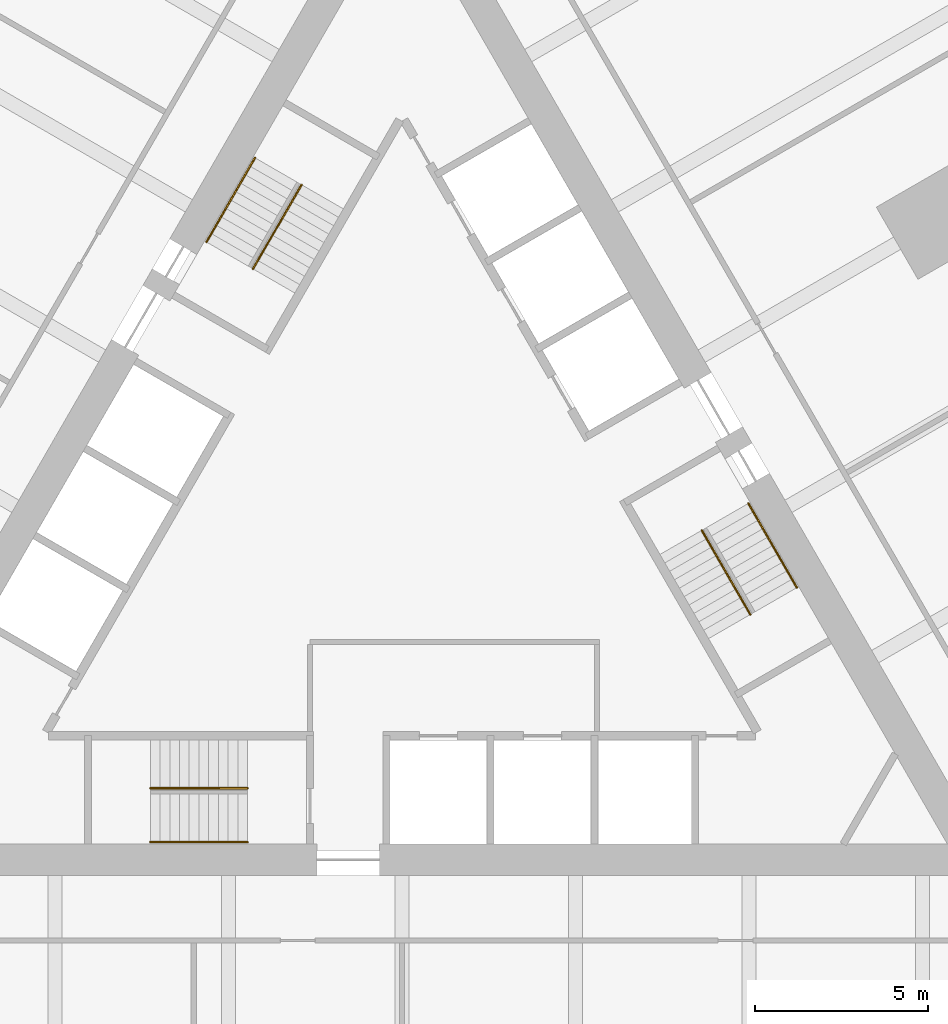
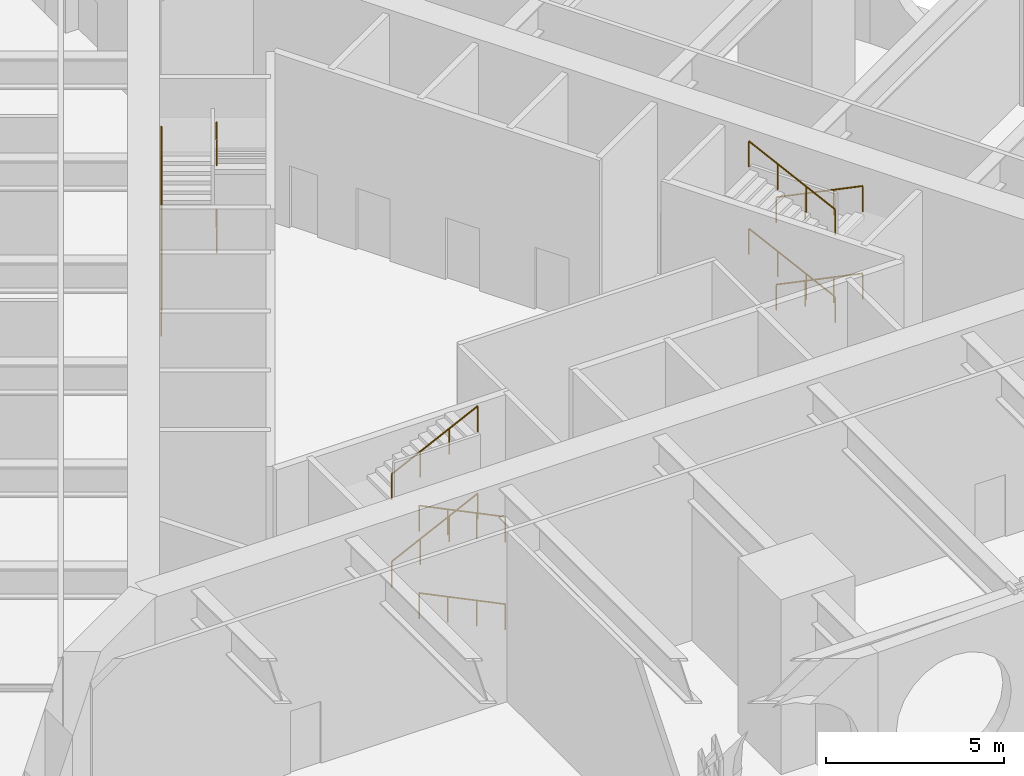
# One storey, part 8 of 8: 12 railings.
"""IFC4 building model written with IfcOpenShell, lengths in metres."""

from ifc_helpers import new_model, si_unit, direction, frame, origin, origin_2d, place, context, subcontext, project, spatial, circle, extrude, material, type_object, element, save


model = new_model("IFC4")

# Units and contexts
model_context = context("Model", 3, precision=1e-05, world=origin(), true_north=direction((0.0, 1.0)))
body_context = subcontext(model_context, "Body", "Model", "MODEL_VIEW")
ifc_project = project(units=[si_unit("LENGTHUNIT", "METRE"), si_unit("AREAUNIT", "SQUARE_METRE"), si_unit("VOLUMEUNIT", "CUBIC_METRE"), si_unit("PLANEANGLEUNIT", "RADIAN"), si_unit("MASSUNIT", "GRAM", prefix="KILO")], contexts=[model_context])

# Site, building, storey
site_placement = place(None, origin())
site = spatial("IfcSite", under=ifc_project, at=site_placement, CompositionType="ELEMENT")
building_placement = place(site_placement, origin())
building = spatial("IfcBuilding", under=site, at=building_placement, Name="Trikona Tower", CompositionType="ELEMENT")
storey_placement = place(building_placement, frame((0.0, 0.0, 22.5)))
storey = spatial("IfcBuildingStorey", under=building, at=storey_placement, Name="L04", CompositionType="ELEMENT", Elevation=22.5)

# Railings
ifc_material = material(Name="Stainless steel handrail", Category="steel")
railing_type = type_object("IfcRailingType", Name="Stair handrail", PredefinedType="HANDRAIL", material=ifc_material)
railing_1_placement = place(storey_placement, frame((-4.449951171875, -9.016357421875, 0.136474609375)))
element("IfcRailing", 1, at=railing_1_placement, inside=storey, type_object=railing_type, Name="Stair handrail A L04 1", PredefinedType="HANDRAIL", context=body_context, shape_type="SweptSolid", body=[
    extrude(circle(Radius=0.02392578125, at=origin_2d()), frame((0.0, 0.0, 0.8759765625), z_axis=(-0.899065830389, 0.0, 0.437813467846), x_axis=(0.0, -1.0, 0.0)), (0.0, 0.0, 1.0), 3.114501953125),
    extrude(circle(Radius=0.02099609375, at=origin_2d()), origin(), (0.0, 0.0, 1.0), 0.851806640625),
    extrude(circle(Radius=0.02099609375, at=origin_2d()), frame((-0.933349609375, 0.0, 0.45458984375)), (0.0, 0.0, 1.0), 0.851806640625),
    extrude(circle(Radius=0.02099609375, at=origin_2d()), frame((-1.86669921875, 0.0, 0.908935546875)), (0.0, 0.0, 1.0), 0.851806640625),
    extrude(circle(Radius=0.02099609375, at=origin_2d()), frame((-2.800048828125, 0.0, 1.363525390625)), (0.0, 0.0, 1.0), 0.851806640625),
])
railing_2_placement = place(storey_placement, frame((-7.25, -7.46630859375, 1.636474609375)))
element("IfcRailing", 2, at=railing_2_placement, inside=storey, type_object=railing_type, Name="Stair handrail A L04 2", PredefinedType="HANDRAIL", context=body_context, shape_type="SweptSolid", body=[
    extrude(circle(Radius=0.02392578125, at=origin_2d()), frame((0.0, 0.0, 0.8759765625), z_axis=(0.899065830389, 0.0, 0.437813467846), x_axis=(0.0, 1.0, 0.0)), (0.0, 0.0, 1.0), 3.114501953125),
    extrude(circle(Radius=0.02099609375, at=origin_2d()), origin(), (0.0, 0.0, 1.0), 0.851806640625),
    extrude(circle(Radius=0.02099609375, at=origin_2d()), frame((0.933349609375, 0.0, 0.45458984375)), (0.0, 0.0, 1.0), 0.851806640625),
    extrude(circle(Radius=0.02099609375, at=origin_2d()), frame((1.86669921875, 0.0, 0.908935546875)), (0.0, 0.0, 1.0), 0.851806640625),
    extrude(circle(Radius=0.02099609375, at=origin_2d()), frame((2.800048828125, 0.0, 1.363525390625)), (0.0, 0.0, 1.0), 0.851806640625),
])
railing_3_placement = place(storey_placement, frame((-4.449951171875, -9.016357421875, 3.136474609375)))
element("IfcRailing", 3, at=railing_3_placement, inside=storey, type_object=railing_type, Name="Stair handrail A L04 3", PredefinedType="HANDRAIL", context=body_context, shape_type="SweptSolid", body=[
    extrude(circle(Radius=0.02392578125, at=origin_2d()), frame((0.0, 0.0, 0.8759765625), z_axis=(-0.899065830389, 0.0, 0.437813467846), x_axis=(0.0, -1.0, 0.0)), (0.0, 0.0, 1.0), 3.114501953125),
    extrude(circle(Radius=0.02099609375, at=origin_2d()), origin(), (0.0, 0.0, 1.0), 0.851806640625),
    extrude(circle(Radius=0.02099609375, at=origin_2d()), frame((-0.933349609375, 0.0, 0.45458984375)), (0.0, 0.0, 1.0), 0.851806640625),
    extrude(circle(Radius=0.02099609375, at=origin_2d()), frame((-1.86669921875, 0.0, 0.908935546875)), (0.0, 0.0, 1.0), 0.851806640625),
    extrude(circle(Radius=0.02099609375, at=origin_2d()), frame((-2.800048828125, 0.0, 1.363525390625)), (0.0, 0.0, 1.0), 0.851806640625),
])
railing_4_placement = place(storey_placement, frame((-7.25, -7.46630859375, 4.636474609375)))
element("IfcRailing", 4, at=railing_4_placement, inside=storey, type_object=railing_type, Name="Stair handrail A L04 4", PredefinedType="HANDRAIL", context=body_context, shape_type="SweptSolid", body=[
    extrude(circle(Radius=0.02392578125, at=origin_2d()), frame((0.0, 0.0, 0.8759765625), z_axis=(0.899065830389, 0.0, 0.437813467846), x_axis=(0.0, 1.0, 0.0)), (0.0, 0.0, 1.0), 3.114501953125),
    extrude(circle(Radius=0.02099609375, at=origin_2d()), origin(), (0.0, 0.0, 1.0), 0.851806640625),
    extrude(circle(Radius=0.02099609375, at=origin_2d()), frame((0.933349609375, 0.0, 0.45458984375)), (0.0, 0.0, 1.0), 0.851806640625),
    extrude(circle(Radius=0.02099609375, at=origin_2d()), frame((1.86669921875, 0.0, 0.908935546875)), (0.0, 0.0, 1.0), 0.851806640625),
    extrude(circle(Radius=0.02099609375, at=origin_2d()), frame((2.800048828125, 0.0, 1.363525390625)), (0.0, 0.0, 1.0), 0.851806640625),
])
railing_5_placement = place(storey_placement, frame((9.9833984375, 0.740966796875, 0.136474609375)))
element("IfcRailing", 5, at=railing_5_placement, inside=storey, type_object=railing_type, Name="Stair handrail B L04 1", PredefinedType="HANDRAIL", context=body_context, shape_type="SweptSolid", body=[
    extrude(circle(Radius=0.02392578125, at=origin_2d()), frame((0.0, 0.0, 0.8759765625), z_axis=(0.449486422157, -0.778644686308, 0.437806359914), x_axis=(0.866056369097, 0.49994636267, 0.0)), (0.0, 0.0, 1.0), 3.114501953125),
    extrude(circle(Radius=0.02099609375, at=origin_2d()), origin(), (0.0, 0.0, 1.0), 0.851806640625),
    extrude(circle(Radius=0.02099609375, at=origin_2d()), frame((0.466552734375, -0.808349609375, 0.45458984375)), (0.0, 0.0, 1.0), 0.851806640625),
    extrude(circle(Radius=0.02099609375, at=origin_2d()), frame((0.933349609375, -1.61669921875, 0.908935546875)), (0.0, 0.0, 1.0), 0.851806640625),
    extrude(circle(Radius=0.02099609375, at=origin_2d()), frame((1.39990234375, -2.425048828125, 1.363525390625)), (0.0, 0.0, 1.0), 0.851806640625),
])
railing_6_placement = place(storey_placement, frame((10.041015625, -2.458984375, 1.636474609375)))
element("IfcRailing", 6, at=railing_6_placement, inside=storey, type_object=railing_type, Name="Stair handrail B L04 2", PredefinedType="HANDRAIL", context=body_context, shape_type="SweptSolid", body=[
    extrude(circle(Radius=0.02392578125, at=origin_2d()), frame((0.0, 0.0, 0.8759765625), z_axis=(-0.449486422157, 0.778644686308, 0.437806359914), x_axis=(-0.866056369097, -0.49994636267, 0.0)), (0.0, 0.0, 1.0), 3.114501953125),
    extrude(circle(Radius=0.02099609375, at=origin_2d()), origin(), (0.0, 0.0, 1.0), 0.851806640625),
    extrude(circle(Radius=0.02099609375, at=origin_2d()), frame((-0.466552734375, 0.808349609375, 0.45458984375)), (0.0, 0.0, 1.0), 0.851806640625),
    extrude(circle(Radius=0.02099609375, at=origin_2d()), frame((-0.933349609375, 1.61669921875, 0.908935546875)), (0.0, 0.0, 1.0), 0.851806640625),
    extrude(circle(Radius=0.02099609375, at=origin_2d()), frame((-1.39990234375, 2.425048828125, 1.363525390625)), (0.0, 0.0, 1.0), 0.851806640625),
])
railing_7_placement = place(storey_placement, frame((9.9833984375, 0.740966796875, 3.136474609375)))
element("IfcRailing", 7, at=railing_7_placement, inside=storey, type_object=railing_type, Name="Stair handrail B L04 3", PredefinedType="HANDRAIL", context=body_context, shape_type="SweptSolid", body=[
    extrude(circle(Radius=0.02392578125, at=origin_2d()), frame((0.0, 0.0, 0.8759765625), z_axis=(0.449486422157, -0.778644686308, 0.437806359914), x_axis=(0.866056369097, 0.49994636267, 0.0)), (0.0, 0.0, 1.0), 3.114501953125),
    extrude(circle(Radius=0.02099609375, at=origin_2d()), origin(), (0.0, 0.0, 1.0), 0.851806640625),
    extrude(circle(Radius=0.02099609375, at=origin_2d()), frame((0.466552734375, -0.808349609375, 0.45458984375)), (0.0, 0.0, 1.0), 0.851806640625),
    extrude(circle(Radius=0.02099609375, at=origin_2d()), frame((0.933349609375, -1.61669921875, 0.908935546875)), (0.0, 0.0, 1.0), 0.851806640625),
    extrude(circle(Radius=0.02099609375, at=origin_2d()), frame((1.39990234375, -2.425048828125, 1.363525390625)), (0.0, 0.0, 1.0), 0.851806640625),
])
railing_8_placement = place(storey_placement, frame((10.041015625, -2.458984375, 4.636474609375)))
element("IfcRailing", 8, at=railing_8_placement, inside=storey, type_object=railing_type, Name="Stair handrail B L04 4", PredefinedType="HANDRAIL", context=body_context, shape_type="SweptSolid", body=[
    extrude(circle(Radius=0.02392578125, at=origin_2d()), frame((0.0, 0.0, 0.8759765625), z_axis=(-0.449486422157, 0.778644686308, 0.437806359914), x_axis=(-0.866056369097, -0.49994636267, 0.0)), (0.0, 0.0, 1.0), 3.114501953125),
    extrude(circle(Radius=0.02099609375, at=origin_2d()), origin(), (0.0, 0.0, 1.0), 0.851806640625),
    extrude(circle(Radius=0.02099609375, at=origin_2d()), frame((-0.466552734375, 0.808349609375, 0.45458984375)), (0.0, 0.0, 1.0), 0.851806640625),
    extrude(circle(Radius=0.02099609375, at=origin_2d()), frame((-0.933349609375, 1.61669921875, 0.908935546875)), (0.0, 0.0, 1.0), 0.851806640625),
    extrude(circle(Radius=0.02099609375, at=origin_2d()), frame((-1.39990234375, 2.425048828125, 1.363525390625)), (0.0, 0.0, 1.0), 0.851806640625),
])
railing_9_placement = place(storey_placement, frame((-5.63330078125, 8.275390625, 0.136474609375)))
element("IfcRailing", 9, at=railing_9_placement, inside=storey, type_object=railing_type, Name="Stair handrail C L04 1", PredefinedType="HANDRAIL", context=body_context, shape_type="SweptSolid", body=[
    extrude(circle(Radius=0.02392578125, at=origin_2d()), frame((0.0, 0.0, 0.8759765625), z_axis=(0.449513858909, 0.778613820489, 0.437833083712), x_axis=(-0.866034573852, 0.49998411664, 0.0)), (0.0, 0.0, 1.0), 3.1142578125),
    extrude(circle(Radius=0.02099609375, at=origin_2d()), origin(), (0.0, 0.0, 1.0), 0.851806640625),
    extrude(circle(Radius=0.02099609375, at=origin_2d()), frame((0.466552734375, 0.808349609375, 0.45458984375)), (0.0, 0.0, 1.0), 0.851806640625),
    extrude(circle(Radius=0.02099609375, at=origin_2d()), frame((0.933349609375, 1.616455078125, 0.908935546875)), (0.0, 0.0, 1.0), 0.851806640625),
    extrude(circle(Radius=0.02099609375, at=origin_2d()), frame((1.39990234375, 2.4248046875, 1.363525390625)), (0.0, 0.0, 1.0), 0.851806640625),
])
railing_10_placement = place(storey_placement, frame((-2.89111328125, 9.92529296875, 1.636474609375)))
element("IfcRailing", 10, at=railing_10_placement, inside=storey, type_object=railing_type, Name="Stair handrail C L04 2", PredefinedType="HANDRAIL", context=body_context, shape_type="SweptSolid", body=[
    extrude(circle(Radius=0.02392578125, at=origin_2d()), frame((0.0, 0.0, 0.8759765625), z_axis=(-0.449486422157, -0.778644686308, 0.437806359914), x_axis=(0.866056369097, -0.49994636267, 0.0)), (0.0, 0.0, 1.0), 3.114501953125),
    extrude(circle(Radius=0.02099609375, at=origin_2d()), origin(), (0.0, 0.0, 1.0), 0.851806640625),
    extrude(circle(Radius=0.02099609375, at=origin_2d()), frame((-0.466552734375, -0.808349609375, 0.45458984375)), (0.0, 0.0, 1.0), 0.851806640625),
    extrude(circle(Radius=0.02099609375, at=origin_2d()), frame((-0.933349609375, -1.61669921875, 0.908935546875)), (0.0, 0.0, 1.0), 0.851806640625),
    extrude(circle(Radius=0.02099609375, at=origin_2d()), frame((-1.39990234375, -2.425048828125, 1.363525390625)), (0.0, 0.0, 1.0), 0.851806640625),
])
railing_11_placement = place(storey_placement, frame((-5.63330078125, 8.275390625, 3.136474609375)))
element("IfcRailing", 11, at=railing_11_placement, inside=storey, type_object=railing_type, Name="Stair handrail C L04 3", PredefinedType="HANDRAIL", context=body_context, shape_type="SweptSolid", body=[
    extrude(circle(Radius=0.02392578125, at=origin_2d()), frame((0.0, 0.0, 0.8759765625), z_axis=(0.449513858909, 0.778613820489, 0.437833083712), x_axis=(-0.866034573852, 0.49998411664, 0.0)), (0.0, 0.0, 1.0), 3.1142578125),
    extrude(circle(Radius=0.02099609375, at=origin_2d()), origin(), (0.0, 0.0, 1.0), 0.851806640625),
    extrude(circle(Radius=0.02099609375, at=origin_2d()), frame((0.466552734375, 0.808349609375, 0.45458984375)), (0.0, 0.0, 1.0), 0.851806640625),
    extrude(circle(Radius=0.02099609375, at=origin_2d()), frame((0.933349609375, 1.616455078125, 0.908935546875)), (0.0, 0.0, 1.0), 0.851806640625),
    extrude(circle(Radius=0.02099609375, at=origin_2d()), frame((1.39990234375, 2.4248046875, 1.363525390625)), (0.0, 0.0, 1.0), 0.851806640625),
])
railing_12_placement = place(storey_placement, frame((-2.89111328125, 9.92529296875, 4.636474609375)))
element("IfcRailing", 12, at=railing_12_placement, inside=storey, type_object=railing_type, Name="Stair handrail C L04 4", PredefinedType="HANDRAIL", context=body_context, shape_type="SweptSolid", body=[
    extrude(circle(Radius=0.02392578125, at=origin_2d()), frame((0.0, 0.0, 0.8759765625), z_axis=(-0.449486422157, -0.778644686308, 0.437806359914), x_axis=(0.866056369097, -0.49994636267, 0.0)), (0.0, 0.0, 1.0), 3.114501953125),
    extrude(circle(Radius=0.02099609375, at=origin_2d()), origin(), (0.0, 0.0, 1.0), 0.851806640625),
    extrude(circle(Radius=0.02099609375, at=origin_2d()), frame((-0.466552734375, -0.808349609375, 0.45458984375)), (0.0, 0.0, 1.0), 0.851806640625),
    extrude(circle(Radius=0.02099609375, at=origin_2d()), frame((-0.933349609375, -1.61669921875, 0.908935546875)), (0.0, 0.0, 1.0), 0.851806640625),
    extrude(circle(Radius=0.02099609375, at=origin_2d()), frame((-1.39990234375, -2.425048828125, 1.363525390625)), (0.0, 0.0, 1.0), 0.851806640625),
])

save(model, "model.ifc")
